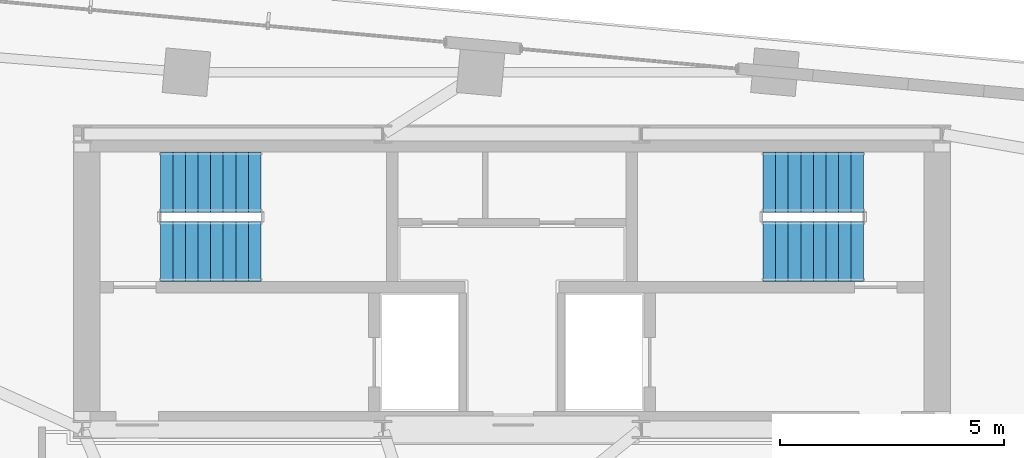
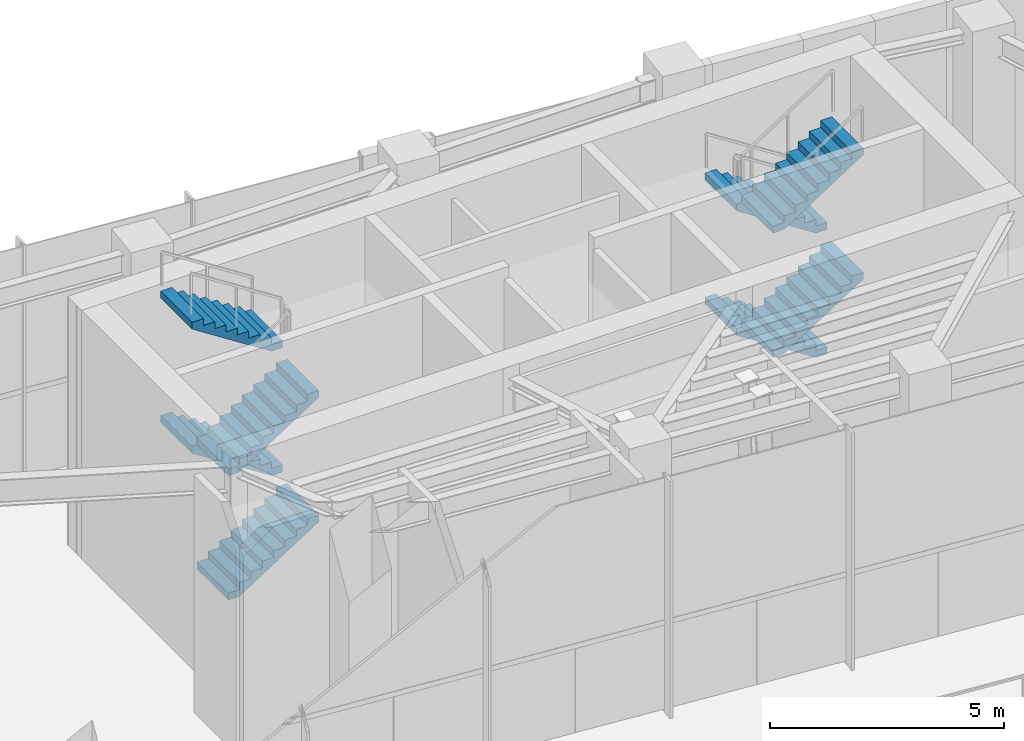
# One storey, part 13 of 18: 8 stair flights, 2 elements without a shape of their own.
"""IFC4 building model written with IfcOpenShell, lengths in metres."""

from ifc_helpers import new_model, si_unit, direction, frame, origin, place, context, subcontext, project, spatial, polyline, outline, extrude, source, transform, mapped, material, type_object, type_shapes, element, aggregate, save


model = new_model("IFC4")

# Units and contexts
model_context = context("Model", 3, precision=1e-05, world=origin(), true_north=direction((0.0, 1.0)))
body_context = subcontext(model_context, "Body", "Model", "MODEL_VIEW")
ifc_project = project(units=[si_unit("LENGTHUNIT", "METRE"), si_unit("AREAUNIT", "SQUARE_METRE"), si_unit("VOLUMEUNIT", "CUBIC_METRE"), si_unit("PLANEANGLEUNIT", "RADIAN"), si_unit("MASSUNIT", "GRAM", prefix="KILO")], contexts=[model_context])

# Site, building, storey
site_placement = place(None, origin())
site = spatial("IfcSite", under=ifc_project, at=site_placement, CompositionType="ELEMENT")
building_placement = place(site_placement, origin())
building = spatial("IfcBuilding", under=site, at=building_placement, Name="Astriad Promenade Condominiums", CompositionType="ELEMENT")
storey_placement = place(building_placement, frame((0.0, 0.0, 264.300048828125)))
storey = spatial("IfcBuildingStorey", under=building, at=storey_placement, Name="L76", CompositionType="ELEMENT", Elevation=264.300048828125)

# Stair, stair flights
ifc_material = material(Name="Concrete C50/60", Category="concrete")
stair_type = type_object("IfcStairType", Name="STR-CORE-1350", PredefinedType="HALF_TURN_STAIR", material=ifc_material)
stair_1_placement = place(storey_placement, origin())
stair_1 = element("IfcStair", 1, at=stair_1_placement, inside=storey, type_object=stair_type, Name="L76 Enclosed Core Exit Stair ST-1", PredefinedType="HALF_TURN_STAIR")
stair_flight_type = type_object("IfcStairFlightType", Name="SFL-CORE-1350", PredefinedType="STRAIGHT", material=ifc_material)
shared_shape = source(origin(), body_context, "Body", "SweptSolid", [
    extrude(outline(polyline([(0.0, 0.0), (0.0, 0.1806640625), (0.280029296875, 0.1806640625), (0.280029296875, 0.361083984375), (0.56005859375, 0.361083984375), (0.56005859375, 0.541748046875), (0.840087890625, 0.541748046875), (0.840087890625, 0.72216796875), (1.1201171875, 0.72216796875), (1.1201171875, 0.90283203125), (1.39990234375, 0.90283203125), (1.39990234375, 1.083251953125), (1.679931640625, 1.083251953125), (1.679931640625, 1.263916015625), (1.9599609375, 1.263916015625), (1.9599609375, 1.4443359375), (2.239990234375, 1.4443359375), (2.239990234375, 1.625), (2.239990234375, 1.26611328125), (0.276611328125, 0.0), (0.0, 0.0)])), frame((0.0, 0.675048828125, 0.0), z_axis=(0.0, -1.0, 0.0), x_axis=(1.0, 0.0, 0.0)), (0.0, 0.0, 1.0), 1.35009765625),
])
type_shapes(stair_flight_type, [shared_shape])
stair_flight_1_placement = place(storey_placement, frame((28.14990234375, 21.375, 0.0), z_axis=(0.0, 0.0, 1.0), x_axis=(1.0, 0.0, 0.0)))
stair_flight_1 = element("IfcStairFlight", 2, at=stair_flight_1_placement, type_object=stair_flight_type, Name="ST-1 flight 1", NumberOfRisers=9, NumberOfTreads=8, PredefinedType="STRAIGHT", RiserHeight=0.180555556, TreadLength=0.28, context=body_context, shape_type="MappedRepresentation", body=[
    mapped(shared_shape, transform((0.0, 0.0, 0.0), scale=1.0)),
])
stair_flight_2_placement = place(storey_placement, frame((30.389892578125, 22.925048828125, 1.625), z_axis=(0.0, 0.0, 1.0), x_axis=(-1.0, 0.0, 0.0)))
stair_flight_2 = element("IfcStairFlight", 3, at=stair_flight_2_placement, type_object=stair_flight_type, Name="ST-1 flight 2", NumberOfRisers=9, NumberOfTreads=8, PredefinedType="STRAIGHT", RiserHeight=0.180555556, TreadLength=0.28, context=body_context, shape_type="MappedRepresentation", body=[
    mapped(shared_shape, transform((0.0, 0.0, 0.0), scale=1.0)),
])
stair_flight_3_placement = place(storey_placement, frame((28.14990234375, 21.375, 3.25), z_axis=(0.0, 0.0, 1.0), x_axis=(1.0, 0.0, 0.0)))
stair_flight_3 = element("IfcStairFlight", 4, at=stair_flight_3_placement, type_object=stair_flight_type, Name="ST-1 flight 3", NumberOfRisers=9, NumberOfTreads=8, PredefinedType="STRAIGHT", RiserHeight=0.180555556, TreadLength=0.28, context=body_context, shape_type="MappedRepresentation", body=[
    mapped(shared_shape, transform((0.0, 0.0, 0.0), scale=1.0)),
])
stair_flight_4_placement = place(storey_placement, frame((30.389892578125, 22.925048828125, 4.875), z_axis=(0.0, 0.0, 1.0), x_axis=(-1.0, 0.0, 0.0)))
stair_flight_4 = element("IfcStairFlight", 5, at=stair_flight_4_placement, type_object=stair_flight_type, Name="ST-1 flight 4", NumberOfRisers=9, NumberOfTreads=8, PredefinedType="STRAIGHT", RiserHeight=0.180555556, TreadLength=0.28, context=body_context, shape_type="MappedRepresentation", body=[
    mapped(shared_shape, transform((0.0, 0.0, 0.0), scale=1.0)),
])
aggregate(stair_1, [stair_flight_1, stair_flight_2, stair_flight_3, stair_flight_4])

stair_2_placement = place(storey_placement, origin())
stair_2 = element("IfcStair", 6, at=stair_2_placement, inside=storey, type_object=stair_type, Name="L76 Enclosed Core Exit Stair ST-2", PredefinedType="HALF_TURN_STAIR")
stair_flight_5_placement = place(storey_placement, frame((43.85009765625, 22.925048828125, 0.0), z_axis=(0.0, 0.0, 1.0), x_axis=(-1.0, 0.0, 0.0)))
stair_flight_5 = element("IfcStairFlight", 7, at=stair_flight_5_placement, type_object=stair_flight_type, Name="ST-2 flight 1", NumberOfRisers=9, NumberOfTreads=8, PredefinedType="STRAIGHT", RiserHeight=0.180555556, TreadLength=0.28, context=body_context, shape_type="MappedRepresentation", body=[
    mapped(shared_shape, transform((0.0, 0.0, 0.0), scale=1.0)),
])
stair_flight_6_placement = place(storey_placement, frame((41.610107421875, 21.375, 1.625), z_axis=(0.0, 0.0, 1.0), x_axis=(1.0, 0.0, 0.0)))
stair_flight_6 = element("IfcStairFlight", 8, at=stair_flight_6_placement, type_object=stair_flight_type, Name="ST-2 flight 2", NumberOfRisers=9, NumberOfTreads=8, PredefinedType="STRAIGHT", RiserHeight=0.180555556, TreadLength=0.28, context=body_context, shape_type="MappedRepresentation", body=[
    mapped(shared_shape, transform((0.0, 0.0, 0.0), scale=1.0)),
])
stair_flight_7_placement = place(storey_placement, frame((43.85009765625, 22.925048828125, 3.25), z_axis=(0.0, 0.0, 1.0), x_axis=(-1.0, 0.0, 0.0)))
stair_flight_7 = element("IfcStairFlight", 9, at=stair_flight_7_placement, type_object=stair_flight_type, Name="ST-2 flight 3", NumberOfRisers=9, NumberOfTreads=8, PredefinedType="STRAIGHT", RiserHeight=0.180555556, TreadLength=0.28, context=body_context, shape_type="MappedRepresentation", body=[
    mapped(shared_shape, transform((0.0, 0.0, 0.0), scale=1.0)),
])
stair_flight_8_placement = place(storey_placement, frame((41.610107421875, 21.375, 4.875), z_axis=(0.0, 0.0, 1.0), x_axis=(1.0, 0.0, 0.0)))
stair_flight_8 = element("IfcStairFlight", 10, at=stair_flight_8_placement, type_object=stair_flight_type, Name="ST-2 flight 4", NumberOfRisers=9, NumberOfTreads=8, PredefinedType="STRAIGHT", RiserHeight=0.180555556, TreadLength=0.28, context=body_context, shape_type="MappedRepresentation", body=[
    mapped(shared_shape, transform((0.0, 0.0, 0.0), scale=1.0)),
])
aggregate(stair_2, [stair_flight_5, stair_flight_6, stair_flight_7, stair_flight_8])

save(model, "model.ifc")
